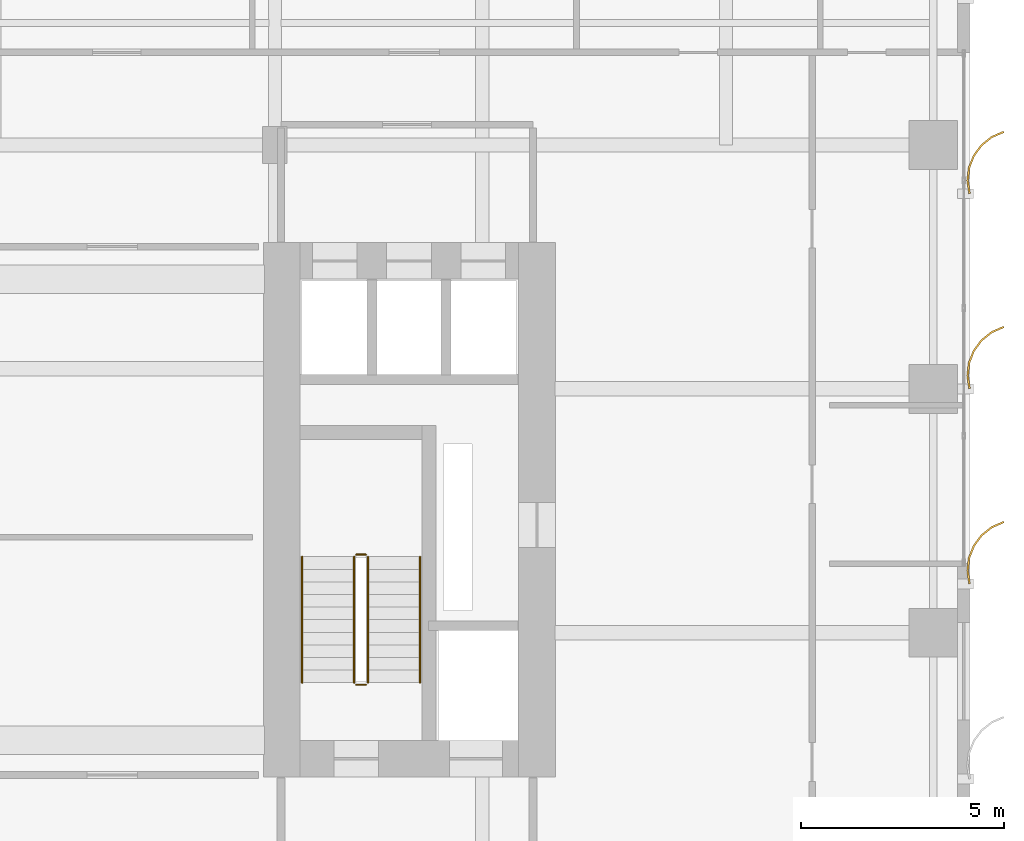
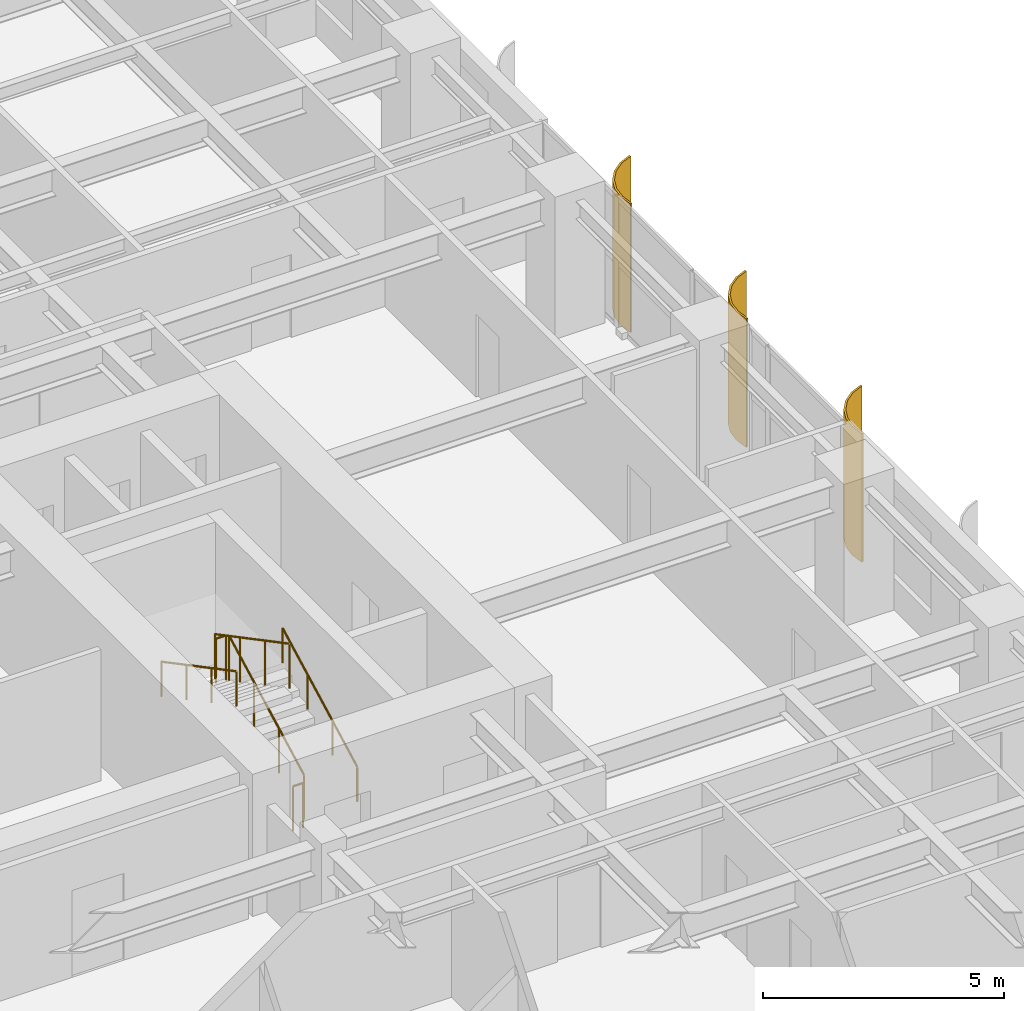
# One storey, part 16 of 17: 6 railings, 3 shading devices.
"""IFC4 building model written with IfcOpenShell, lengths in metres."""

from ifc_helpers import new_model, si_unit, direction, frame, origin, origin_2d, place, context, subcontext, project, spatial, polyline, circle, outline, extrude, source, transform, mapped, material, layer, layer_set, type_object, element, save


model = new_model("IFC4")

# Units and contexts
model_context = context("Model", 3, precision=1e-05, world=origin(), true_north=direction((0.0, 1.0)))
body_context = subcontext(model_context, "Body", "Model", "MODEL_VIEW")
ifc_project = project(units=[si_unit("LENGTHUNIT", "METRE"), si_unit("AREAUNIT", "SQUARE_METRE"), si_unit("VOLUMEUNIT", "CUBIC_METRE"), si_unit("PLANEANGLEUNIT", "RADIAN"), si_unit("MASSUNIT", "GRAM", prefix="KILO")], contexts=[model_context])

# Site, building, storey
site_placement = place(None, origin())
site = spatial("IfcSite", under=ifc_project, at=site_placement, CompositionType="ELEMENT")
building_placement = place(site_placement, origin())
building = spatial("IfcBuilding", under=site, at=building_placement, Name="Khoralis Quay Care Tower", CompositionType="ELEMENT")
storey_placement = place(building_placement, frame((0.0, 0.0, 58.5)))
storey = spatial("IfcBuildingStorey", under=building, at=storey_placement, Name="L15", CompositionType="ELEMENT", Elevation=58.5)

# Railings
ifc_material_1 = material(Name="Brushed stainless steel", Category="steel")
railing_type_1 = type_object("IfcRailingType", Name="RL-GUARD-1150", PredefinedType="GUARDRAIL", material=ifc_material_1)
railing_1_placement = place(storey_placement, frame((33.18994140625, 16.77001953125, 0.16357421875)))
element("IfcRailing", 1, at=railing_1_placement, inside=storey, type_object=railing_type_1, Name="L15 ST-T2 stair guard 1", PredefinedType="GUARDRAIL", context=body_context, shape_type="SweptSolid", body=[
    extrude(circle(Radius=0.02392578125, at=origin_2d()), frame((0.0, 0.0, 1.1259765625), z_axis=(0.0, 0.884348015382, 0.466828220752), x_axis=(-1.0, 0.0, 0.0)), (0.0, 0.0, 1.0), 3.505615234375),
    extrude(circle(Radius=0.02099609375, at=origin_2d()), origin(), (0.0, 0.0, 1.0), 1.101806640625),
    extrude(circle(Radius=0.02099609375, at=origin_2d()), frame((0.0, 1.033447265625, 0.54541015625)), (0.0, 0.0, 1.0), 1.101806640625),
    extrude(circle(Radius=0.02099609375, at=origin_2d()), frame((0.0, 2.066650390625, 1.091064453125)), (0.0, 0.0, 1.0), 1.101806640625),
    extrude(circle(Radius=0.02099609375, at=origin_2d()), frame((0.0, 3.10009765625, 1.636474609375)), (0.0, 0.0, 1.0), 1.101806640625),
])
railing_2_placement = place(storey_placement, frame((33.139892578125, 19.919921875, 1.800048828125)))
element("IfcRailing", 2, at=railing_2_placement, inside=storey, type_object=railing_type_1, Name="L15 ST-T2 stair guard 2", PredefinedType="GUARDRAIL", context=body_context, shape_type="SweptSolid", body=[
    extrude(circle(Radius=0.02392578125, at=origin_2d()), frame((0.0, 0.0, 1.1259765625), z_axis=(-1.0, 0.0, 0.0), x_axis=(0.0, -1.0, 0.0)), (0.0, 0.0, 1.0), 0.239990234375),
    extrude(circle(Radius=0.02099609375, at=origin_2d()), origin(), (0.0, 0.0, 1.0), 1.101806640625),
    extrude(circle(Radius=0.02099609375, at=origin_2d()), frame((-0.239990234375, 0.0, 0.0)), (0.0, 0.0, 1.0), 1.101806640625),
])
railing_3_placement = place(storey_placement, frame((32.85009765625, 19.8701171875, 1.963623046875)))
element("IfcRailing", 3, at=railing_3_placement, inside=storey, type_object=railing_type_1, Name="L15 ST-T2 stair guard 3", PredefinedType="GUARDRAIL", context=body_context, shape_type="SweptSolid", body=[
    extrude(circle(Radius=0.02392578125, at=origin_2d()), frame((0.0, 0.0, 1.1259765625), z_axis=(0.0, -0.884348015382, 0.466828220752), x_axis=(1.0, 0.0, 0.0)), (0.0, 0.0, 1.0), 3.505615234375),
    extrude(circle(Radius=0.02099609375, at=origin_2d()), origin(), (0.0, 0.0, 1.0), 1.101806640625),
    extrude(circle(Radius=0.02099609375, at=origin_2d()), frame((0.0, -1.033447265625, 0.54541015625)), (0.0, 0.0, 1.0), 1.101806640625),
    extrude(circle(Radius=0.02099609375, at=origin_2d()), frame((0.0, -2.066650390625, 1.091064453125)), (0.0, 0.0, 1.0), 1.101806640625),
    extrude(circle(Radius=0.02099609375, at=origin_2d()), frame((0.0, -3.10009765625, 1.636474609375)), (0.0, 0.0, 1.0), 1.101806640625),
])
railing_4_placement = place(storey_placement, frame((33.139892578125, 16.719970703125, 0.0)))
element("IfcRailing", 4, at=railing_4_placement, inside=storey, type_object=railing_type_1, Name="L15 ST-T2 stair guard 4", PredefinedType="GUARDRAIL", context=body_context, shape_type="SweptSolid", body=[
    extrude(circle(Radius=0.02392578125, at=origin_2d()), frame((0.0, 0.0, 1.1259765625), z_axis=(-1.0, 0.0, 0.0), x_axis=(0.0, -1.0, 0.0)), (0.0, 0.0, 1.0), 0.239990234375),
    extrude(circle(Radius=0.02099609375, at=origin_2d()), origin(), (0.0, 0.0, 1.0), 1.101806640625),
    extrude(circle(Radius=0.02099609375, at=origin_2d()), frame((-0.239990234375, 0.0, 0.0)), (0.0, 0.0, 1.0), 1.101806640625),
])
railing_type_2 = type_object("IfcRailingType", Name="RL-HAND-900", PredefinedType="HANDRAIL", material=ifc_material_1)
railing_5_placement = place(storey_placement, frame((34.469970703125, 16.77001953125, 0.16357421875)))
element("IfcRailing", 5, at=railing_5_placement, inside=storey, type_object=railing_type_2, Name="L15 ST-T2 stair handrail 1", PredefinedType="HANDRAIL", context=body_context, shape_type="SweptSolid", body=[
    extrude(circle(Radius=0.02392578125, at=origin_2d()), frame((0.0, 0.0, 0.8759765625), z_axis=(0.0, 0.884348015382, 0.466828220752), x_axis=(-1.0, 0.0, 0.0)), (0.0, 0.0, 1.0), 3.505615234375),
    extrude(circle(Radius=0.02099609375, at=origin_2d()), origin(), (0.0, 0.0, 1.0), 0.851806640625),
    extrude(circle(Radius=0.02099609375, at=origin_2d()), frame((0.0, 1.033447265625, 0.54541015625)), (0.0, 0.0, 1.0), 0.851806640625),
    extrude(circle(Radius=0.02099609375, at=origin_2d()), frame((0.0, 2.066650390625, 1.091064453125)), (0.0, 0.0, 1.0), 0.851806640625),
    extrude(circle(Radius=0.02099609375, at=origin_2d()), frame((0.0, 3.10009765625, 1.636474609375)), (0.0, 0.0, 1.0), 0.851806640625),
])
railing_6_placement = place(storey_placement, frame((31.570068359375, 19.8701171875, 1.963623046875)))
element("IfcRailing", 6, at=railing_6_placement, inside=storey, type_object=railing_type_2, Name="L15 ST-T2 stair handrail 2", PredefinedType="HANDRAIL", context=body_context, shape_type="SweptSolid", body=[
    extrude(circle(Radius=0.02392578125, at=origin_2d()), frame((0.0, 0.0, 0.8759765625), z_axis=(0.0, -0.884348015382, 0.466828220752), x_axis=(1.0, 0.0, 0.0)), (0.0, 0.0, 1.0), 3.505615234375),
    extrude(circle(Radius=0.02099609375, at=origin_2d()), origin(), (0.0, 0.0, 1.0), 0.851806640625),
    extrude(circle(Radius=0.02099609375, at=origin_2d()), frame((0.0, -1.033447265625, 0.54541015625)), (0.0, 0.0, 1.0), 0.851806640625),
    extrude(circle(Radius=0.02099609375, at=origin_2d()), frame((0.0, -2.066650390625, 1.091064453125)), (0.0, 0.0, 1.0), 0.851806640625),
    extrude(circle(Radius=0.02099609375, at=origin_2d()), frame((0.0, -3.10009765625, 1.636474609375)), (0.0, 0.0, 1.0), 0.851806640625),
])

# Shading devices
ifc_material_2 = material(Name="Brushed pale anodised aluminium", Category="aluminium")
ifc_layer = layer(ifc_material_2, 0.044921875)
ifc_layer_set = layer_set([ifc_layer], Name="Brushed pale anodised aluminium")
shading_device_type = type_object("IfcShadingDeviceType", Name="SHD-FIN-1250", PredefinedType="USERDEFINED", material=ifc_layer_set)
shared_shape = source(origin(), body_context, "Body", "SweptSolid", [
    extrude(outline(polyline([(0.0, 0.0), (-0.04833984375, 0.32275390625), (-0.01123046875, 0.64697265625), (0.1083984375, 0.950439453125), (0.302490234375, 1.212890625), (0.557861328125, 1.416015625), (0.85693359375, 1.546142578125), (0.869384765625, 1.5029296875), (0.5810546875, 1.37744140625), (0.334716796875, 1.181640625), (0.147705078125, 0.9287109375), (0.032470703125, 0.635986328125), (-0.003173828125, 0.323486328125), (0.043212890625, 0.012451171875), (0.0, 0.0)])), origin(), (0.0, 0.0, 1.0), 3.260009765625),
])
for number, where, z_axis, x_axis, name in (
    (7, (47.969970703125, 19.199951171875, 0.02001953125), (0.0, 0.0, 1.0), (1.0, 0.0, 0.0), "L15 Curved Solar Fin P1E5-03"),
    (8, (47.969970703125, 24.0, 0.02001953125), (0.0, 0.0, 1.0), (1.0, 0.0, 0.0), "L15 Curved Solar Fin P1E5-04"),
    (9, (47.969970703125, 28.800048828125, 0.02001953125), (0.0, 0.0, 1.0), (1.0, 0.0, 0.0), "L15 Curved Solar Fin P1E5-05"),
):
    element("IfcShadingDevice", number, at=place(storey_placement, frame(where, z_axis=z_axis, x_axis=x_axis)), inside=storey, type_object=shading_device_type, Name=name, ObjectType="FIN", PredefinedType="USERDEFINED", context=body_context, shape_type="MappedRepresentation", body=[
        mapped(shared_shape, transform((0.0, 0.0, 0.0), scale=1.0)),
    ])

save(model, "model.ifc")
